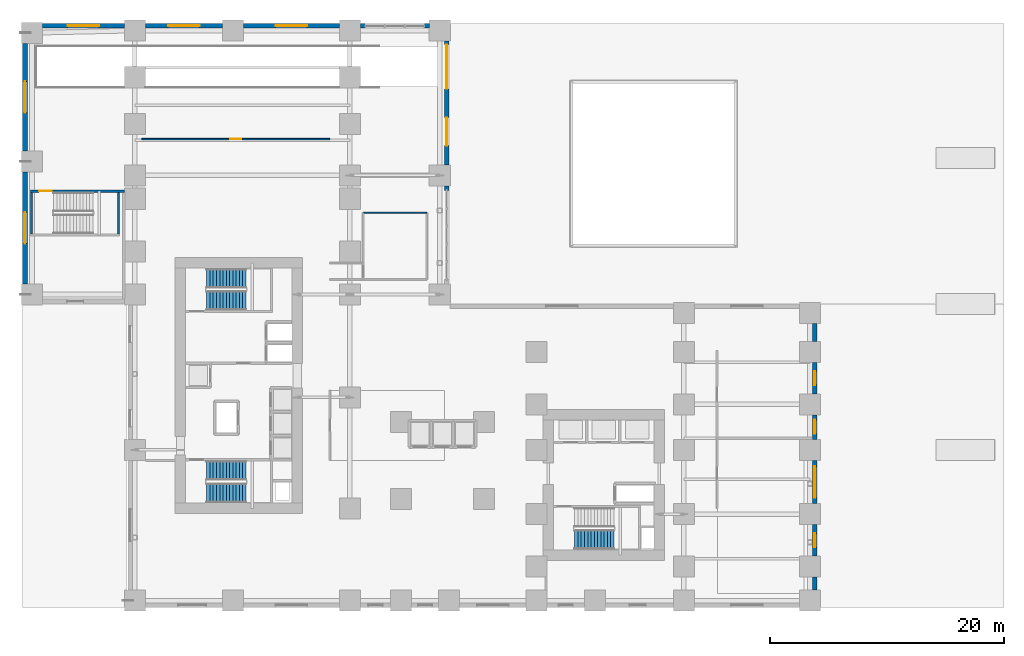
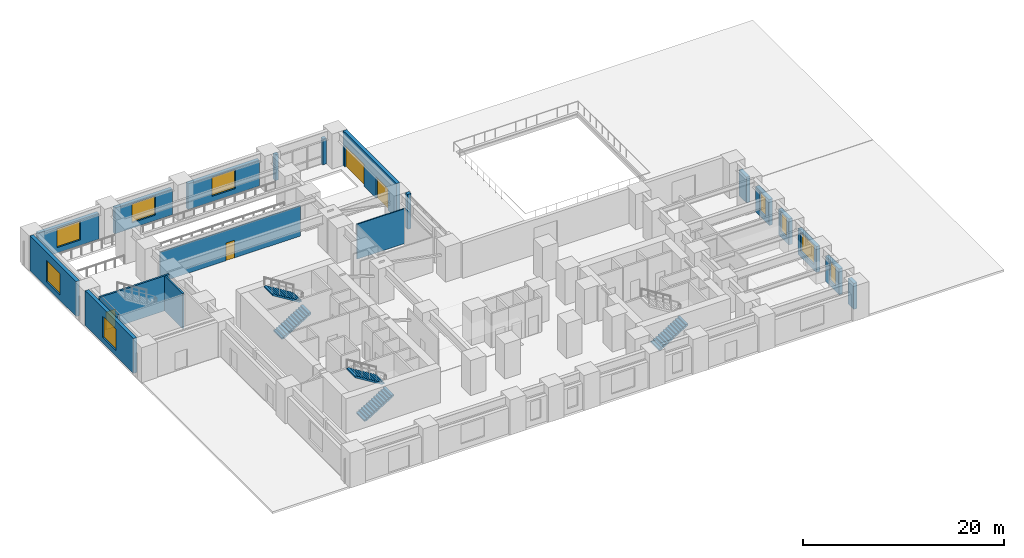
# One storey, part 16 of 23: 20 walls, 9 windows, 5 stair flights, 4 doors, 13 openings, 3 elements without a shape of their own.
"""IFC4 building model written with IfcOpenShell, lengths in metres."""

from ifc_helpers import new_model, si_unit, direction, frame, frame_2d, origin, place, context, subcontext, project, spatial, polyline, rectangle, outline, extrude, source, transform, mapped, material, layer, layer_set, type_object, element, fill, aggregate, save


model = new_model("IFC4")

# Units and contexts
model_context = context("Model", 3, precision=1e-05, world=origin(), true_north=direction((0.0, 1.0)))
body_context = subcontext(model_context, "Body", "Model", "MODEL_VIEW")
ifc_project = project(units=[si_unit("LENGTHUNIT", "METRE"), si_unit("AREAUNIT", "SQUARE_METRE"), si_unit("VOLUMEUNIT", "CUBIC_METRE"), si_unit("PLANEANGLEUNIT", "RADIAN"), si_unit("MASSUNIT", "GRAM", prefix="KILO")], contexts=[model_context])

# Site, building, storey
site_placement = place(None, origin())
site = spatial("IfcSite", under=ifc_project, at=site_placement, CompositionType="ELEMENT")
building_placement = place(site_placement, origin())
building = spatial("IfcBuilding", under=site, at=building_placement, Name="Kharzan Plaza Tower", CompositionType="ELEMENT")
storey_placement = place(building_placement, origin())
storey = spatial("IfcBuildingStorey", under=building, at=storey_placement, Name="L00", CompositionType="ELEMENT", Elevation=0.0)

# Wall, opening, door
ifc_material_1 = material(Name="Fire-Rated Gypsum Board Partition", Category="gypsum")
ifc_layer_1 = layer(ifc_material_1, 0.125)
ifc_layer_set_1 = layer_set([ifc_layer_1], Name="Fire-Rated Gypsum Board Partition")
wall_type_1 = type_object("IfcWallType", Name="WL-INT-PART-125", PredefinedType="PARTITIONING", material=ifc_layer_set_1)
wall_1_placement = place(storey_placement, frame((1.199951171875, 40.10009765625, 0.0), z_axis=(0.0, 0.0, 1.0), x_axis=(1.0, 0.0, 0.0)))
wall_1 = element("IfcWall", 1, at=wall_1_placement, inside=storey, type_object=wall_type_1, Name="L00 Interior Partition L00-WCONC", PredefinedType="PARTITIONING", context=body_context, shape_type="SweptSolid", body=[
    extrude(rectangle(XDim=16.10009765625, YDim=0.125, at=frame_2d((8.050048828125, 0.0))), origin(), (0.0, 0.0, 1.0), 3.68603515625),
])
opening_1_placement = place(wall_1_placement, frame((7.574951171875, 0.0, 0.0)))
opening_1 = element("IfcOpeningElement", 2, at=opening_1_placement, cuts=wall_1, Name="Opening OD1", PredefinedType="OPENING", context=body_context, shape_type="SweptSolid", body=[
    extrude(rectangle(XDim=0.949951171875, YDim=2.14990234375, at=frame_2d((0.47509765625, 1.074951171875))), frame((0.0, 0.072509765625, 0.0), z_axis=(0.0, -1.0, 0.0), x_axis=(1.0, 0.0, 0.0)), (0.0, 0.0, 1.0), 0.14501953125),
])
ifc_material_2 = material(Name="Acoustic Solid-Core Stained Oak", Category="timber")
door_type_1 = type_object("IfcDoorType", Name="DR-OFF-SINGLE", OperationType="NOTDEFINED", PredefinedType="DOOR", material=ifc_material_2)
shared_shape_1 = source(origin(), body_context, "Body", "SweptSolid", [
    extrude(rectangle(XDim=0.949951171875, YDim=2.14990234375, at=frame_2d((0.47509765625, 1.074951171875))), frame((0.0, 0.02490234375, 0.0), z_axis=(0.0, -1.0, 0.0), x_axis=(1.0, 0.0, 0.0)), (0.0, 0.0, 1.0), 0.050048828125),
])
door_1_placement = place(opening_1_placement, origin())
door_1 = element("IfcDoor", 3, at=door_1_placement, inside=storey, type_object=door_type_1, Name="L00 Concierge Hall Door", OperationType="SINGLE_SWING_LEFT", OverallHeight=2.14990234375, OverallWidth=0.949951171875, PredefinedType="DOOR", context=body_context, shape_type="MappedRepresentation", body=[
    mapped(shared_shape_1, transform((0.0, 0.0, 0.0), x_axis=(1.0, 0.0, 0.0), y_axis=(0.0, 1.0, 0.0), z_axis=(0.0, 0.0, 1.0))),
])
fill(opening_1, door_1)

# Wall, openings, doors
ifc_material_3 = material(Name="Concrete C40/50", Category="concrete")
ifc_layer_2 = layer(ifc_material_3, 0.39990234375)
ifc_layer_set_2 = layer_set([ifc_layer_2], Name="Concrete C40/50")
wall_type_2 = type_object("IfcWallType", Name="WL-POD-MAS-400", PredefinedType="SOLIDWALL", material=ifc_layer_set_2)
wall_2_placement = place(storey_placement, frame((27.300048828125, 37.89794921875, 0.0), z_axis=(0.0, 0.0, 1.0), x_axis=(0.0, 1.0, 0.0)))
wall_2 = element("IfcWall", 4, at=wall_2_placement, inside=storey, type_object=wall_type_2, Name="L00 Masonry-Frame Exterior Wall 05", PredefinedType="SOLIDWALL", context=body_context, shape_type="SweptSolid", body=[
    extrude(rectangle(XDim=10.60400390625, YDim=0.39990234375, at=frame_2d((5.302001953125, 0.0))), origin(), (0.0, 0.0, 1.0), 4.235107421875),
])
opening_2_placement = place(wall_2_placement, frame((1.652099609375, 0.0, 0.0)))
opening_2 = element("IfcOpeningElement", 5, at=opening_2_placement, cuts=wall_2, Name="Opening ED1", PredefinedType="OPENING", context=body_context, shape_type="SweptSolid", body=[
    extrude(rectangle(XDim=2.39990234375, YDim=2.60009765625, at=frame_2d((1.199951171875, 1.300048828125))), frame((0.0, 0.2099609375, 0.0), z_axis=(0.0, -1.0, 0.0), x_axis=(1.0, 0.0, 0.0)), (0.0, 0.0, 1.0), 0.419921875),
])
opening_3_placement = place(wall_2_placement, frame((6.501953125, 0.0, 0.0)))
opening_3 = element("IfcOpeningElement", 6, at=opening_3_placement, cuts=wall_2, Name="Opening VG1", PredefinedType="OPENING", context=body_context, shape_type="SweptSolid", body=[
    extrude(rectangle(XDim=3.800048828125, YDim=2.64990234375, at=frame_2d((1.89990234375, 1.324951171875))), frame((0.0, 0.2099609375, 0.0), z_axis=(0.0, -1.0, 0.0), x_axis=(1.0, 0.0, 0.0)), (0.0, 0.0, 1.0), 0.419921875),
])
ifc_material_4 = material(Name="Thermally Broken Anodized Bronze Aluminium", Category="aluminium")
door_type_2 = type_object("IfcDoorType", Name="DR-EXT-LOBBY-2400", OperationType="DOUBLE_SWING_LEFT", PredefinedType="DOOR", material=ifc_material_4)
shared_shape_2 = source(origin(), body_context, "Body", "SweptSolid", [
    extrude(rectangle(XDim=2.39990234375, YDim=2.60009765625, at=frame_2d((1.199951171875, 1.300048828125))), frame((0.0, 0.02490234375, 0.0), z_axis=(0.0, -1.0, 0.0), x_axis=(1.0, 0.0, 0.0)), (0.0, 0.0, 1.0), 0.050048828125),
])
door_2_placement = place(opening_2_placement, origin())
door_2 = element("IfcDoor", 7, at=door_2_placement, inside=storey, type_object=door_type_2, Name="L00 Oculus Forecourt Plaza Entrance Door", OperationType="DOUBLE_SWING_LEFT", OverallHeight=2.60009765625, OverallWidth=2.39990234375, PredefinedType="DOOR", context=body_context, shape_type="MappedRepresentation", body=[
    mapped(shared_shape_2, transform((0.0, 0.0, 0.0), x_axis=(1.0, 0.0, 0.0), y_axis=(0.0, 1.0, 0.0), z_axis=(0.0, 0.0, 1.0))),
])
fill(opening_2, door_2)
ifc_material_5 = material(Name="Perforated Powder-Coated Galvanized Steel", Category="steel")
door_type_3 = type_object("IfcDoorType", Name="DR-VEH-GATE-5200", OperationType="ROLLINGUP", PredefinedType="GATE", material=ifc_material_5)
shared_shape_3 = source(origin(), body_context, "Body", "SweptSolid", [
    extrude(rectangle(XDim=3.800048828125, YDim=2.64990234375, at=frame_2d((1.89990234375, 1.324951171875))), frame((0.0, 0.02490234375, 0.0), z_axis=(0.0, -1.0, 0.0), x_axis=(1.0, 0.0, 0.0)), (0.0, 0.0, 1.0), 0.050048828125),
])
door_3_placement = place(opening_3_placement, origin())
door_3 = element("IfcDoor", 8, at=door_3_placement, inside=storey, type_object=door_type_3, Name="L00 Car Park Ramp Security Shutter Gate VG1", OperationType="ROLLINGUP", OverallHeight=2.64990234375, OverallWidth=3.800048828125, PredefinedType="GATE", context=body_context, shape_type="MappedRepresentation", body=[
    mapped(shared_shape_3, transform((0.0, 0.0, 0.0), x_axis=(1.0, 0.0, 0.0), y_axis=(0.0, 1.0, 0.0), z_axis=(0.0, 0.0, 1.0))),
])
fill(opening_3, door_3)

# Wall, opening, window
wall_3_placement = place(storey_placement, frame((18.10205078125, 49.800048828125, 0.0), z_axis=(0.0, 0.0, 1.0), x_axis=(-1.0, 0.0, 0.0)))
wall_3 = element("IfcWall", 9, at=wall_3_placement, inside=storey, type_object=wall_type_2, Name="L00 Masonry-Frame Exterior Wall 08", PredefinedType="SOLIDWALL", context=body_context, shape_type="SweptSolid", body=[
    extrude(rectangle(XDim=8.2041015625, YDim=0.39990234375, at=frame_2d((4.10205078125, 0.0))), origin(), (0.0, 0.0, 1.0), 3.135009765625),
])
opening_4_placement = place(wall_3_placement, frame((2.751953125, 0.0, 0.64990234375)))
opening_4 = element("IfcOpeningElement", 10, at=opening_4_placement, cuts=wall_3, Name="Opening W4", PredefinedType="OPENING", context=body_context, shape_type="SweptSolid", body=[
    extrude(rectangle(XDim=2.699951171875, YDim=2.304931640625, at=frame_2d((1.35009765625, 1.15234375))), frame((0.0, 0.2099609375, 0.0), z_axis=(0.0, -1.0, 0.0), x_axis=(1.0, 0.0, 0.0)), (0.0, 0.0, 1.0), 0.419921875),
])
ifc_material_6 = material(Name="Low-E Double Glazing", Category="glass")
window_type_1 = type_object("IfcWindowType", Name="WN-POD-2700x2600", PartitioningType="SINGLE_PANEL", PredefinedType="WINDOW", material=ifc_material_6)
shared_shape_4 = source(origin(), body_context, "Body", "SweptSolid", [
    extrude(rectangle(XDim=2.699951171875, YDim=2.304931640625, at=frame_2d((1.35009765625, 1.15234375))), frame((0.0, 0.030029296875, 0.0), z_axis=(0.0, -1.0, 0.0), x_axis=(1.0, 0.0, 0.0)), (0.0, 0.0, 1.0), 0.06005859375),
])
window_1_placement = place(opening_4_placement, origin())
window_1 = element("IfcWindow", 11, at=window_1_placement, inside=storey, type_object=window_type_1, Name="L00 Recessed Solar-Control Window 08-1", OverallHeight=2.304931640625, OverallWidth=2.699951171875, PartitioningType="SINGLE_PANEL", PredefinedType="WINDOW", context=body_context, shape_type="MappedRepresentation", body=[
    mapped(shared_shape_4, transform((0.0, 0.0, 0.0), x_axis=(1.0, 0.0, 0.0), y_axis=(0.0, 1.0, 0.0), z_axis=(0.0, 0.0, 1.0))),
])
fill(opening_4, window_1)

wall_4_placement = place(storey_placement, frame((8.10205078125, 49.800048828125, 0.0), z_axis=(0.0, 0.0, 1.0), x_axis=(-1.0, 0.0, 0.0)))
wall_4 = element("IfcWall", 12, at=wall_4_placement, inside=storey, type_object=wall_type_2, Name="L00 Masonry-Frame Exterior Wall 09", PredefinedType="SOLIDWALL", context=body_context, shape_type="SweptSolid", body=[
    extrude(rectangle(XDim=6.60400390625, YDim=0.39990234375, at=frame_2d((3.302001953125, 0.0))), origin(), (0.0, 0.0, 1.0), 3.135009765625),
])
opening_5_placement = place(wall_4_placement, frame((1.951904296875, 0.0, 0.64990234375)))
opening_5 = element("IfcOpeningElement", 13, at=opening_5_placement, cuts=wall_4, Name="Opening W4", PredefinedType="OPENING", context=body_context, shape_type="SweptSolid", body=[
    extrude(rectangle(XDim=2.699951171875, YDim=2.304931640625, at=frame_2d((1.35009765625, 1.15234375))), frame((0.0, 0.2099609375, 0.0), z_axis=(0.0, -1.0, 0.0), x_axis=(1.0, 0.0, 0.0)), (0.0, 0.0, 1.0), 0.419921875),
])
window_2_placement = place(opening_5_placement, origin())
window_2 = element("IfcWindow", 14, at=window_2_placement, inside=storey, type_object=window_type_1, Name="L00 Recessed Solar-Control Window 09-1", OverallHeight=2.304931640625, OverallWidth=2.699951171875, PartitioningType="SINGLE_PANEL", PredefinedType="WINDOW", context=body_context, shape_type="MappedRepresentation", body=[
    mapped(shared_shape_4, transform((0.0, 0.0, 0.0), x_axis=(1.0, 0.0, 0.0), y_axis=(0.0, 1.0, 0.0), z_axis=(0.0, 0.0, 1.0))),
])
fill(opening_5, window_2)

wall_5_placement = place(storey_placement, frame((-0.298095703125, 49.800048828125, 0.0), z_axis=(0.0, 0.0, 1.0), x_axis=(-1.0, 0.0, 0.0)))
wall_5 = element("IfcWall", 15, at=wall_5_placement, inside=storey, type_object=wall_type_2, Name="L00 Masonry-Frame Exterior Wall 10", PredefinedType="SOLIDWALL", context=body_context, shape_type="SweptSolid", body=[
    extrude(rectangle(XDim=7.00390625, YDim=0.39990234375, at=frame_2d((3.501953125, 0.0))), origin(), (0.0, 0.0, 1.0), 3.135009765625),
])
opening_6_placement = place(wall_5_placement, frame((2.152099609375, 0.0, 0.64990234375)))
opening_6 = element("IfcOpeningElement", 16, at=opening_6_placement, cuts=wall_5, Name="Opening W4", PredefinedType="OPENING", context=body_context, shape_type="SweptSolid", body=[
    extrude(rectangle(XDim=2.699951171875, YDim=2.304931640625, at=frame_2d((1.35009765625, 1.15234375))), frame((0.0, 0.2099609375, 0.0), z_axis=(0.0, -1.0, 0.0), x_axis=(1.0, 0.0, 0.0)), (0.0, 0.0, 1.0), 0.419921875),
])
window_3_placement = place(opening_6_placement, origin())
window_3 = element("IfcWindow", 17, at=window_3_placement, inside=storey, type_object=window_type_1, Name="L00 Recessed Solar-Control Window 10-1", OverallHeight=2.304931640625, OverallWidth=2.699951171875, PartitioningType="SINGLE_PANEL", PredefinedType="WINDOW", context=body_context, shape_type="MappedRepresentation", body=[
    mapped(shared_shape_4, transform((0.0, 0.0, 0.0), x_axis=(1.0, 0.0, 0.0), y_axis=(0.0, 1.0, 0.0), z_axis=(0.0, 0.0, 1.0))),
])
fill(opening_6, window_3)

wall_6_placement = place(storey_placement, frame((-8.800048828125, 48.302001953125, 0.0), z_axis=(0.0, 0.0, 1.0), x_axis=(0.0, -1.0, 0.0)))
wall_6 = element("IfcWall", 18, at=wall_6_placement, inside=storey, type_object=wall_type_2, Name="L00 Masonry-Frame Exterior Wall 11", PredefinedType="SOLIDWALL", context=body_context, shape_type="SweptSolid", body=[
    extrude(rectangle(XDim=9.2041015625, YDim=0.39990234375, at=frame_2d((4.60205078125, 0.0))), origin(), (0.0, 0.0, 1.0), 4.235107421875),
])
opening_7_placement = place(wall_6_placement, frame((3.251953125, 0.0, 0.64990234375)))
opening_7 = element("IfcOpeningElement", 19, at=opening_7_placement, cuts=wall_6, Name="Opening W4", PredefinedType="OPENING", context=body_context, shape_type="SweptSolid", body=[
    extrude(rectangle(XDim=2.699951171875, YDim=2.60009765625, at=frame_2d((1.35009765625, 1.300048828125))), frame((0.0, 0.2099609375, 0.0), z_axis=(0.0, -1.0, 0.0), x_axis=(1.0, 0.0, 0.0)), (0.0, 0.0, 1.0), 0.419921875),
])
shared_shape_5 = source(origin(), body_context, "Body", "SweptSolid", [
    extrude(rectangle(XDim=2.699951171875, YDim=2.60009765625, at=frame_2d((1.35009765625, 1.300048828125))), frame((0.0, 0.030029296875, 0.0), z_axis=(0.0, -1.0, 0.0), x_axis=(1.0, 0.0, 0.0)), (0.0, 0.0, 1.0), 0.06005859375),
])
window_4_placement = place(opening_7_placement, origin())
window_4 = element("IfcWindow", 20, at=window_4_placement, inside=storey, type_object=window_type_1, Name="L00 Recessed Solar-Control Window 11-1", OverallHeight=2.60009765625, OverallWidth=2.699951171875, PartitioningType="SINGLE_PANEL", PredefinedType="WINDOW", context=body_context, shape_type="MappedRepresentation", body=[
    mapped(shared_shape_5, transform((0.0, 0.0, 0.0), x_axis=(1.0, 0.0, 0.0), y_axis=(0.0, 1.0, 0.0), z_axis=(0.0, 0.0, 1.0))),
])
fill(opening_7, window_4)

wall_7_placement = place(storey_placement, frame((-8.800048828125, 37.302001953125, 0.0), z_axis=(0.0, 0.0, 1.0), x_axis=(0.0, -1.0, 0.0)))
wall_7 = element("IfcWall", 21, at=wall_7_placement, inside=storey, type_object=wall_type_2, Name="L00 Masonry-Frame Exterior Wall 12", PredefinedType="SOLIDWALL", context=body_context, shape_type="SweptSolid", body=[
    extrude(rectangle(XDim=9.60400390625, YDim=0.39990234375, at=frame_2d((4.802001953125, 0.0))), origin(), (0.0, 0.0, 1.0), 4.235107421875),
])
opening_8_placement = place(wall_7_placement, frame((3.451904296875, 0.0, 0.64990234375)))
opening_8 = element("IfcOpeningElement", 22, at=opening_8_placement, cuts=wall_7, Name="Opening W4", PredefinedType="OPENING", context=body_context, shape_type="SweptSolid", body=[
    extrude(rectangle(XDim=2.699951171875, YDim=2.60009765625, at=frame_2d((1.35009765625, 1.300048828125))), frame((0.0, 0.2099609375, 0.0), z_axis=(0.0, -1.0, 0.0), x_axis=(1.0, 0.0, 0.0)), (0.0, 0.0, 1.0), 0.419921875),
])
window_5_placement = place(opening_8_placement, origin())
window_5 = element("IfcWindow", 23, at=window_5_placement, inside=storey, type_object=window_type_1, Name="L00 Recessed Solar-Control Window 12-1", OverallHeight=2.60009765625, OverallWidth=2.699951171875, PartitioningType="SINGLE_PANEL", PredefinedType="WINDOW", context=body_context, shape_type="MappedRepresentation", body=[
    mapped(shared_shape_5, transform((0.0, 0.0, 0.0), x_axis=(1.0, 0.0, 0.0), y_axis=(0.0, 1.0, 0.0), z_axis=(0.0, 0.0, 1.0))),
])
fill(opening_8, window_5)

wall_8_placement = place(storey_placement, frame((58.800048828125, 4.39794921875, 0.0), z_axis=(0.0, 0.0, 1.0), x_axis=(0.0, 1.0, 0.0)))
wall_8 = element("IfcWall", 24, at=wall_8_placement, inside=storey, type_object=wall_type_2, Name="L00 Masonry-Frame Exterior Wall 25", PredefinedType="SOLIDWALL", context=body_context, shape_type="SweptSolid", body=[
    extrude(rectangle(XDim=2.7041015625, YDim=0.39990234375, at=frame_2d((1.35205078125, 0.0))), origin(), (0.0, 0.0, 1.0), 3.135009765625),
])
opening_9_placement = place(wall_8_placement, frame((0.751953125, 0.0, 0.64990234375)))
opening_9 = element("IfcOpeningElement", 25, at=opening_9_placement, cuts=wall_8, Name="Opening W3", PredefinedType="OPENING", context=body_context, shape_type="SweptSolid", body=[
    extrude(rectangle(XDim=1.199951171875, YDim=2.304931640625, at=frame_2d((0.60009765625, 1.15234375))), frame((0.0, 0.2099609375, 0.0), z_axis=(0.0, -1.0, 0.0), x_axis=(1.0, 0.0, 0.0)), (0.0, 0.0, 1.0), 0.419921875),
])
window_type_2 = type_object("IfcWindowType", Name="WN-REC-1200x2100", PartitioningType="SINGLE_PANEL", PredefinedType="WINDOW", material=ifc_material_6)
shared_shape_6 = source(origin(), body_context, "Body", "SweptSolid", [
    extrude(rectangle(XDim=1.199951171875, YDim=2.304931640625, at=frame_2d((0.60009765625, 1.15234375))), frame((0.0, 0.030029296875, 0.0), z_axis=(0.0, -1.0, 0.0), x_axis=(1.0, 0.0, 0.0)), (0.0, 0.0, 1.0), 0.06005859375),
])
window_6_placement = place(opening_9_placement, origin())
window_6 = element("IfcWindow", 26, at=window_6_placement, inside=storey, type_object=window_type_2, Name="L00 Recessed Solar-Control Window 25-1", OverallHeight=2.304931640625, OverallWidth=1.199951171875, PartitioningType="SINGLE_PANEL", PredefinedType="WINDOW", context=body_context, shape_type="MappedRepresentation", body=[
    mapped(shared_shape_6, transform((0.0, 0.0, 0.0), x_axis=(1.0, 0.0, 0.0), y_axis=(0.0, 1.0, 0.0), z_axis=(0.0, 0.0, 1.0))),
])
fill(opening_9, window_6)

wall_9_placement = place(storey_placement, frame((58.800048828125, 8.89794921875, 0.0), z_axis=(0.0, 0.0, 1.0), x_axis=(0.0, 1.0, 0.0)))
wall_9 = element("IfcWall", 27, at=wall_9_placement, inside=storey, type_object=wall_type_2, Name="L00 Masonry-Frame Exterior Wall 26", PredefinedType="SOLIDWALL", context=body_context, shape_type="SweptSolid", body=[
    extrude(rectangle(XDim=3.7041015625, YDim=0.39990234375, at=frame_2d((1.85205078125, 0.0))), origin(), (0.0, 0.0, 1.0), 3.135009765625),
])
opening_10_placement = place(wall_9_placement, frame((0.501953125, 0.0, 0.64990234375)))
opening_10 = element("IfcOpeningElement", 28, at=opening_10_placement, cuts=wall_9, Name="Opening W4", PredefinedType="OPENING", context=body_context, shape_type="SweptSolid", body=[
    extrude(rectangle(XDim=2.699951171875, YDim=2.304931640625, at=frame_2d((1.35009765625, 1.15234375))), frame((0.0, 0.2099609375, 0.0), z_axis=(0.0, -1.0, 0.0), x_axis=(1.0, 0.0, 0.0)), (0.0, 0.0, 1.0), 0.419921875),
])
window_7_placement = place(opening_10_placement, origin())
window_7 = element("IfcWindow", 29, at=window_7_placement, inside=storey, type_object=window_type_1, Name="L00 Recessed Solar-Control Window 26-1", OverallHeight=2.304931640625, OverallWidth=2.699951171875, PartitioningType="SINGLE_PANEL", PredefinedType="WINDOW", context=body_context, shape_type="MappedRepresentation", body=[
    mapped(shared_shape_4, transform((0.0, 0.0, 0.0), x_axis=(1.0, 0.0, 0.0), y_axis=(0.0, 1.0, 0.0), z_axis=(0.0, 0.0, 1.0))),
])
fill(opening_10, window_7)

wall_10_placement = place(storey_placement, frame((58.800048828125, 14.39794921875, 0.0), z_axis=(0.0, 0.0, 1.0), x_axis=(0.0, 1.0, 0.0)))
wall_10 = element("IfcWall", 30, at=wall_10_placement, inside=storey, type_object=wall_type_2, Name="L00 Masonry-Frame Exterior Wall 27", PredefinedType="SOLIDWALL", context=body_context, shape_type="SweptSolid", body=[
    extrude(rectangle(XDim=2.10400390625, YDim=0.39990234375, at=frame_2d((1.052001953125, 0.0))), origin(), (0.0, 0.0, 1.0), 3.135009765625),
])
opening_11_placement = place(wall_10_placement, frame((0.468017578125, 0.0, 0.64990234375)))
opening_11 = element("IfcOpeningElement", 31, at=opening_11_placement, cuts=wall_10, Name="Opening W3", PredefinedType="OPENING", context=body_context, shape_type="SweptSolid", body=[
    extrude(rectangle(XDim=1.199951171875, YDim=2.304931640625, at=frame_2d((0.60009765625, 1.15234375))), frame((0.0, 0.2099609375, 0.0), z_axis=(0.0, -1.0, 0.0), x_axis=(1.0, 0.0, 0.0)), (0.0, 0.0, 1.0), 0.419921875),
])
window_8_placement = place(opening_11_placement, origin())
window_8 = element("IfcWindow", 32, at=window_8_placement, inside=storey, type_object=window_type_2, Name="L00 Recessed Solar-Control Window 27-1", OverallHeight=2.304931640625, OverallWidth=1.199951171875, PartitioningType="SINGLE_PANEL", PredefinedType="WINDOW", context=body_context, shape_type="MappedRepresentation", body=[
    mapped(shared_shape_6, transform((0.0, 0.0, 0.0), x_axis=(1.0, 0.0, 0.0), y_axis=(0.0, 1.0, 0.0), z_axis=(0.0, 0.0, 1.0))),
])
fill(opening_11, window_8)

wall_11_placement = place(storey_placement, frame((58.800048828125, 18.298095703125, 0.0), z_axis=(0.0, 0.0, 1.0), x_axis=(0.0, 1.0, 0.0)))
wall_11 = element("IfcWall", 33, at=wall_11_placement, inside=storey, type_object=wall_type_2, Name="L00 Masonry-Frame Exterior Wall 28", PredefinedType="SOLIDWALL", context=body_context, shape_type="SweptSolid", body=[
    extrude(rectangle(XDim=2.703857421875, YDim=0.39990234375, at=frame_2d((1.35205078125, 0.0))), origin(), (0.0, 0.0, 1.0), 3.135009765625),
])
opening_12_placement = place(wall_11_placement, frame((0.751953125, 0.0, 0.64990234375)))
opening_12 = element("IfcOpeningElement", 34, at=opening_12_placement, cuts=wall_11, Name="Opening W3", PredefinedType="OPENING", context=body_context, shape_type="SweptSolid", body=[
    extrude(rectangle(XDim=1.199951171875, YDim=2.304931640625, at=frame_2d((0.60009765625, 1.15234375))), frame((0.0, 0.2099609375, 0.0), z_axis=(0.0, -1.0, 0.0), x_axis=(1.0, 0.0, 0.0)), (0.0, 0.0, 1.0), 0.419921875),
])
window_9_placement = place(opening_12_placement, origin())
window_9 = element("IfcWindow", 35, at=window_9_placement, inside=storey, type_object=window_type_2, Name="L00 Recessed Solar-Control Window 28-1", OverallHeight=2.304931640625, OverallWidth=1.199951171875, PartitioningType="SINGLE_PANEL", PredefinedType="WINDOW", context=body_context, shape_type="MappedRepresentation", body=[
    mapped(shared_shape_6, transform((0.0, 0.0, 0.0), x_axis=(1.0, 0.0, 0.0), y_axis=(0.0, 1.0, 0.0), z_axis=(0.0, 0.0, 1.0))),
])
fill(opening_12, window_9)

# Wall, opening, door
ifc_material_7 = material(Name="Concrete C50/60", Category="concrete")
ifc_layer_3 = layer(ifc_material_7, 0.199951171875)
ifc_layer_set_3 = layer_set([ifc_layer_3], Name="Concrete C50/60")
wall_type_3 = type_object("IfcWallType", Name="WL-SHAFT-RC200", PredefinedType="SHEAR", material=ifc_layer_set_3)
wall_12_placement = place(storey_placement, frame((-8.35009765625, 35.655029296875, 0.0), z_axis=(0.0, 0.0, 1.0), x_axis=(1.0, 0.0, 0.0)))
wall_12 = element("IfcWall", 36, at=wall_12_placement, inside=storey, type_object=wall_type_3, Name="L00 Stair ST-4 North RC Shaft Wall", PredefinedType="SHEAR", context=body_context, shape_type="SweptSolid", body=[
    extrude(rectangle(XDim=8.050048828125, YDim=0.199951171875, at=frame_2d((4.02490234375, 0.0))), origin(), (0.0, 0.0, 1.0), 4.25),
])
opening_13_placement = place(wall_12_placement, frame((0.75, 0.0, 0.0)))
opening_13 = element("IfcOpeningElement", 37, at=opening_13_placement, cuts=wall_12, Name="Opening SD1", PredefinedType="OPENING", context=body_context, shape_type="SweptSolid", body=[
    extrude(rectangle(XDim=1.10009765625, YDim=2.14990234375, at=frame_2d((0.550048828125, 1.074951171875))), frame((0.0, 0.10986328125, 0.0), z_axis=(0.0, -1.0, 0.0), x_axis=(1.0, 0.0, 0.0)), (0.0, 0.0, 1.0), 0.219970703125),
])
ifc_material_8 = material(Name="Fire-Rated Hollow Galvanized Steel", Category="steel")
door_type_4 = type_object("IfcDoorType", Name="DR-STAIR-FD120", OperationType="NOTDEFINED", PredefinedType="DOOR", material=ifc_material_8)
shared_shape_7 = source(origin(), body_context, "Body", "SweptSolid", [
    extrude(rectangle(XDim=1.10009765625, YDim=2.14990234375, at=frame_2d((0.550048828125, 1.074951171875))), frame((0.0, 0.02490234375, 0.0), z_axis=(0.0, -1.0, 0.0), x_axis=(1.0, 0.0, 0.0)), (0.0, 0.0, 1.0), 0.050048828125),
])
door_4_placement = place(opening_13_placement, origin())
door_4 = element("IfcDoor", 38, at=door_4_placement, inside=storey, type_object=door_type_4, Name="L00 Podium Stair ST-4 Fire Exit Door", OperationType="SINGLE_SWING_LEFT", OverallHeight=2.14990234375, OverallWidth=1.10009765625, PredefinedType="DOOR", context=body_context, shape_type="MappedRepresentation", body=[
    mapped(shared_shape_7, transform((0.0, 0.0, 0.0), x_axis=(1.0, 0.0, 0.0), y_axis=(0.0, 1.0, 0.0), z_axis=(0.0, 0.0, 1.0))),
])
fill(opening_13, door_4)

# Walls
shared_shape_8 = source(origin(), body_context, "Body", "SweptSolid", [
    extrude(rectangle(XDim=0.402099609375, YDim=0.39990234375, at=frame_2d((0.201171875, 0.0))), origin(), (0.0, 0.0, 1.0), 4.235107421875),
])
wall_13_placement = place(storey_placement, frame((27.300048828125, 35.699951171875, 0.0), z_axis=(0.0, 0.0, 1.0), x_axis=(0.0, 1.0, 0.0)))
element("IfcWall", 39, at=wall_13_placement, inside=storey, type_object=wall_type_2, Name="L00 Masonry-Frame Exterior Wall 04", PredefinedType="SOLIDWALL", context=body_context, shape_type="MappedRepresentation", body=[
    mapped(shared_shape_8, transform((0.0, 0.0, 0.0), x_axis=(1.0, 0.0, 0.0), y_axis=(0.0, 1.0, 0.0), z_axis=(0.0, 0.0, 1.0))),
])
shared_shape_9 = source(origin(), body_context, "Body", "SweptSolid", [
    extrude(rectangle(XDim=0.402099609375, YDim=0.39990234375, at=frame_2d((0.201171875, 0.0))), origin(), (0.0, 0.0, 1.0), 3.135009765625),
])
for number, where, z_axis, x_axis, name in (
    (40, (25.802001953125, 49.800048828125, 0.0), (0.0, 0.0, 1.0), (-1.0, 0.0, 0.0), "L00 Masonry-Frame Exterior Wall 06"),
    (41, (20.300048828125, 49.800048828125, 0.0), (0.0, 0.0, 1.0), (-1.0, 0.0, 0.0), "L00 Masonry-Frame Exterior Wall 07"),
):
    element("IfcWall", number, at=place(storey_placement, frame(where, z_axis=z_axis, x_axis=x_axis)), inside=storey, type_object=wall_type_2, Name=name, PredefinedType="SOLIDWALL", context=body_context, shape_type="MappedRepresentation", body=[
        mapped(shared_shape_9, transform((0.0, 0.0, 0.0), x_axis=(1.0, 0.0, 0.0), y_axis=(0.0, 1.0, 0.0), z_axis=(0.0, 0.0, 1.0))),
    ])
shared_shape_10 = source(origin(), body_context, "Body", "SweptSolid", [
    extrude(rectangle(XDim=1.10400390625, YDim=0.39990234375, at=frame_2d((0.552001953125, 0.0))), origin(), (0.0, 0.0, 1.0), 3.135009765625),
])
wall_14_placement = place(storey_placement, frame((58.800048828125, 1.498046875, 0.0), z_axis=(0.0, 0.0, 1.0), x_axis=(0.0, 1.0, 0.0)))
element("IfcWall", 42, at=wall_14_placement, inside=storey, type_object=wall_type_2, Name="L00 Masonry-Frame Exterior Wall 24", PredefinedType="SOLIDWALL", context=body_context, shape_type="MappedRepresentation", body=[
    mapped(shared_shape_10, transform((0.0, 0.0, 0.0), x_axis=(1.0, 0.0, 0.0), y_axis=(0.0, 1.0, 0.0), z_axis=(0.0, 0.0, 1.0))),
])
shared_shape_11 = source(origin(), body_context, "Body", "SweptSolid", [
    extrude(rectangle(XDim=1.50390625, YDim=0.39990234375, at=frame_2d((0.751953125, 0.0))), origin(), (0.0, 0.0, 1.0), 3.135009765625),
])
wall_15_placement = place(storey_placement, frame((58.800048828125, 22.798095703125, 0.0), z_axis=(0.0, 0.0, 1.0), x_axis=(0.0, 1.0, 0.0)))
element("IfcWall", 43, at=wall_15_placement, inside=storey, type_object=wall_type_2, Name="L00 Masonry-Frame Exterior Wall 29", PredefinedType="SOLIDWALL", context=body_context, shape_type="MappedRepresentation", body=[
    mapped(shared_shape_11, transform((0.0, 0.0, 0.0), x_axis=(1.0, 0.0, 0.0), y_axis=(0.0, 1.0, 0.0), z_axis=(0.0, 0.0, 1.0))),
])
shared_shape_12 = source(origin(), body_context, "Body", "SweptSolid", [
    extrude(rectangle(XDim=5.4501953125, YDim=0.125, at=frame_2d((2.72509765625, 0.0))), origin(), (0.0, 0.0, 1.0), 4.235107421875),
])
wall_16_placement = place(storey_placement, frame((20.14990234375, 33.800048828125, 0.0), z_axis=(0.0, 0.0, 1.0), x_axis=(1.0, 0.0, 0.0)))
element("IfcWall", 44, at=wall_16_placement, inside=storey, type_object=wall_type_1, Name="L00 Interior Partition L00-WCPN2", PredefinedType="PARTITIONING", context=body_context, shape_type="MappedRepresentation", body=[
    mapped(shared_shape_12, transform((0.0, 0.0, 0.0), x_axis=(1.0, 0.0, 0.0), y_axis=(0.0, 1.0, 0.0), z_axis=(0.0, 0.0, 1.0))),
])
shared_shape_13 = source(origin(), body_context, "Body", "SweptSolid", [
    extrude(rectangle(XDim=3.559814453125, YDim=0.199951171875, at=frame_2d((1.77978515625, 0.0))), origin(), (0.0, 0.0, 1.0), 4.25),
])
for number, where, z_axis, x_axis, name in (
    (45, (-0.794921875, 31.9951171875, 0.0), (0.0, 0.0, 1.0), (0.0, 1.0, 0.0), "L00 Stair ST-4 East RC Shaft Wall"),
    (46, (-8.25, 31.9951171875, 0.0), (0.0, 0.0, 1.0), (0.0, 1.0, 0.0), "L00 Stair ST-4 West RC Shaft Wall"),
):
    element("IfcWall", number, at=place(storey_placement, frame(where, z_axis=z_axis, x_axis=x_axis)), inside=storey, type_object=wall_type_3, Name=name, PredefinedType="SHEAR", context=body_context, shape_type="MappedRepresentation", body=[
        mapped(shared_shape_13, transform((0.0, 0.0, 0.0), x_axis=(1.0, 0.0, 0.0), y_axis=(0.0, 1.0, 0.0), z_axis=(0.0, 0.0, 1.0))),
    ])

# Stair, stair flights
stair_type_1 = type_object("IfcStairType", Name="STR-ST-1", PredefinedType="HALF_TURN_STAIR", material=ifc_material_3)
stair_1_placement = place(storey_placement, origin())
stair_1 = element("IfcStair", 47, at=stair_1_placement, inside=storey, type_object=stair_type_1, Name="L00 Protected Exit Stair ST-1", PredefinedType="HALF_TURN_STAIR")
stair_flight_type = type_object("IfcStairFlightType", Name="SFL-1650-R173", PredefinedType="STRAIGHT", material=ifc_material_3)
shared_shape_14 = source(origin(), body_context, "Body", "SweptSolid", [
    extrude(outline(polyline([(-0.0029296875, -0.011962890625), (-0.0029296875, 0.0), (0.0, 0.0), (0.0, 0.173095703125), (0.280029296875, 0.173095703125), (0.280029296875, 0.34619140625), (0.56005859375, 0.34619140625), (0.56005859375, 0.519287109375), (0.840087890625, 0.519287109375), (0.840087890625, 0.6923828125), (1.1201171875, 0.6923828125), (1.1201171875, 0.865478515625), (1.400146484375, 0.865478515625), (1.400146484375, 1.03857421875), (1.68017578125, 1.03857421875), (1.68017578125, 1.211669921875), (1.960205078125, 1.211669921875), (1.960205078125, 1.384765625), (2.240234375, 1.384765625), (2.240234375, 1.557861328125), (2.520263671875, 1.557861328125), (2.520263671875, 1.73095703125), (2.80029296875, 1.73095703125), (2.80029296875, 1.904052734375), (3.080322265625, 1.904052734375), (3.080322265625, 2.0771484375), (3.3603515625, 2.0771484375), (3.3603515625, 2.250244140625), (3.3603515625, 1.90087890625), (0.28515625, 0.0), (0.28515625, -0.011962890625), (-0.0029296875, -0.011962890625)])), frame((0.0, 0.824951171875, 0.0), z_axis=(0.0, -1.0, 0.0), x_axis=(1.0, 0.0, 0.0)), (0.0, 0.0, 1.0), 1.64990234375),
])
stair_flight_1_placement = place(storey_placement, frame((6.75, 9.824951171875, 0.0), z_axis=(0.0, 0.0, 1.0), x_axis=(1.0, 0.0, 0.0)))
stair_flight_1 = element("IfcStairFlight", 48, at=stair_flight_1_placement, type_object=stair_flight_type, Name="ST-1 flight 1", NumberOfRisers=13, NumberOfTreads=12, PredefinedType="STRAIGHT", RiserHeight=0.173076923, TreadLength=0.28, context=body_context, shape_type="MappedRepresentation", body=[
    mapped(shared_shape_14, transform((0.0, 0.0, 0.0), x_axis=(1.0, 0.0, 0.0), y_axis=(0.0, 1.0, 0.0), z_axis=(0.0, 0.0, 1.0))),
])
stair_flight_2_placement = place(storey_placement, frame((10.110107421875, 11.72509765625, 2.25), z_axis=(0.0, 0.0, 1.0), x_axis=(-1.0, 0.0, 0.0)))
stair_flight_2 = element("IfcStairFlight", 49, at=stair_flight_2_placement, type_object=stair_flight_type, Name="ST-1 flight 2", NumberOfRisers=13, NumberOfTreads=12, PredefinedType="STRAIGHT", RiserHeight=0.173076923, TreadLength=0.28, context=body_context, shape_type="MappedRepresentation", body=[
    mapped(shared_shape_14, transform((0.0, 0.0, 0.0), x_axis=(1.0, 0.0, 0.0), y_axis=(0.0, 1.0, 0.0), z_axis=(0.0, 0.0, 1.0))),
])
aggregate(stair_1, [stair_flight_1, stair_flight_2])

stair_type_2 = type_object("IfcStairType", Name="STR-ST-2", PredefinedType="HALF_TURN_STAIR", material=ifc_material_3)
stair_2_placement = place(storey_placement, origin())
stair_2 = element("IfcStair", 50, at=stair_2_placement, inside=storey, type_object=stair_type_2, Name="L00 Protected Exit Stair ST-2", PredefinedType="HALF_TURN_STAIR")
stair_flight_3_placement = place(storey_placement, frame((6.75, 26.27490234375, 0.0), z_axis=(0.0, 0.0, 1.0), x_axis=(1.0, 0.0, 0.0)))
stair_flight_3 = element("IfcStairFlight", 51, at=stair_flight_3_placement, type_object=stair_flight_type, Name="ST-2 flight 1", NumberOfRisers=13, NumberOfTreads=12, PredefinedType="STRAIGHT", RiserHeight=0.173076923, TreadLength=0.28, context=body_context, shape_type="MappedRepresentation", body=[
    mapped(shared_shape_14, transform((0.0, 0.0, 0.0), x_axis=(1.0, 0.0, 0.0), y_axis=(0.0, 1.0, 0.0), z_axis=(0.0, 0.0, 1.0))),
])
stair_flight_4_placement = place(storey_placement, frame((10.110107421875, 28.175048828125, 2.25), z_axis=(0.0, 0.0, 1.0), x_axis=(-1.0, 0.0, 0.0)))
stair_flight_4 = element("IfcStairFlight", 52, at=stair_flight_4_placement, type_object=stair_flight_type, Name="ST-2 flight 2", NumberOfRisers=13, NumberOfTreads=12, PredefinedType="STRAIGHT", RiserHeight=0.173076923, TreadLength=0.28, context=body_context, shape_type="MappedRepresentation", body=[
    mapped(shared_shape_14, transform((0.0, 0.0, 0.0), x_axis=(1.0, 0.0, 0.0), y_axis=(0.0, 1.0, 0.0), z_axis=(0.0, 0.0, 1.0))),
])
aggregate(stair_2, [stair_flight_3, stair_flight_4])

# Stair, stair flight
stair_type_3 = type_object("IfcStairType", Name="STR-ST-3", PredefinedType="HALF_TURN_STAIR", material=ifc_material_3)
stair_3_placement = place(storey_placement, origin())
stair_3 = element("IfcStair", 53, at=stair_3_placement, inside=storey, type_object=stair_type_3, Name="L00 Protected Exit Stair ST-3", PredefinedType="HALF_TURN_STAIR")
stair_flight_5_placement = place(storey_placement, frame((38.25, 5.824951171875, 0.0), z_axis=(0.0, 0.0, 1.0), x_axis=(1.0, 0.0, 0.0)))
stair_flight_5 = element("IfcStairFlight", 54, at=stair_flight_5_placement, type_object=stair_flight_type, Name="ST-3 flight 1", NumberOfRisers=13, NumberOfTreads=12, PredefinedType="STRAIGHT", RiserHeight=0.173076923, TreadLength=0.28, context=body_context, shape_type="MappedRepresentation", body=[
    mapped(shared_shape_14, transform((0.0, 0.0, 0.0), x_axis=(1.0, 0.0, 0.0), y_axis=(0.0, 1.0, 0.0), z_axis=(0.0, 0.0, 1.0))),
])
aggregate(stair_3, [stair_flight_5])

save(model, "model.ifc")
